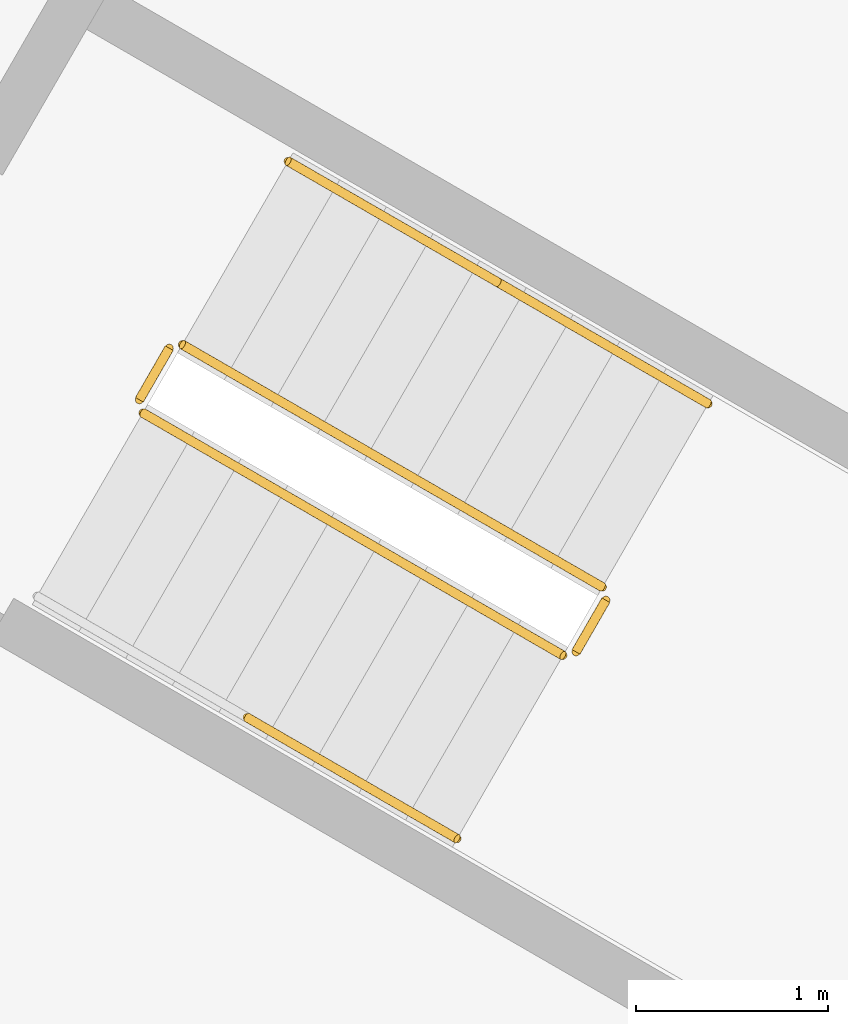
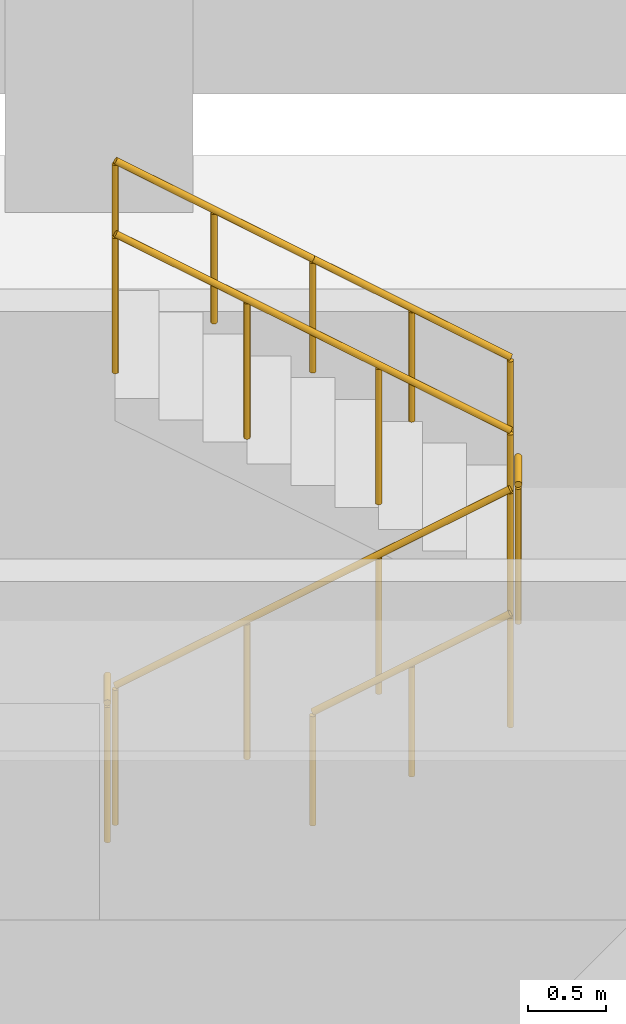
# One storey, part 19 of 19: 7 railings.
"""IFC4 building model written with IfcOpenShell, lengths in metres."""

from ifc_helpers import new_model, si_unit, direction, frame, origin, origin_2d, place, context, subcontext, project, spatial, circle, extrude, material, type_object, element, save


model = new_model("IFC4")

# Units and contexts
model_context = context("Model", 3, precision=1e-05, world=origin(), true_north=direction((0.0, 1.0)))
body_context = subcontext(model_context, "Body", "Model", "MODEL_VIEW")
ifc_project = project(units=[si_unit("LENGTHUNIT", "METRE"), si_unit("AREAUNIT", "SQUARE_METRE"), si_unit("VOLUMEUNIT", "CUBIC_METRE"), si_unit("PLANEANGLEUNIT", "RADIAN"), si_unit("MASSUNIT", "GRAM", prefix="KILO")], contexts=[model_context])

# Site, building, storey
site_placement = place(None, origin())
site = spatial("IfcSite", under=ifc_project, at=site_placement, CompositionType="ELEMENT")
building_placement = place(site_placement, origin())
building = spatial("IfcBuilding", under=site, at=building_placement, Name="Ayvan Gate Tower", CompositionType="ELEMENT")
storey_placement = place(building_placement, frame((0.0, 0.0, 32.300048828125)))
storey = spatial("IfcBuildingStorey", under=building, at=storey_placement, Name="L07", CompositionType="ELEMENT", Elevation=32.300048828125)

# Railings
ifc_material = material(Name="Stainless steel balustrade", Category="steel")
railing_type_1 = type_object("IfcRailingType", Name="RL-GUARD-1100", PredefinedType="GUARDRAIL", material=ifc_material)
railing_1_placement = place(storey_placement, frame((8.381103515625, 10.16650390625, 0.169921875)))
element("IfcRailing", 1, at=railing_1_placement, inside=storey, type_object=railing_type_1, Name="L07 STS1 stair guard 1", PredefinedType="GUARDRAIL", context=body_context, shape_type="SweptSolid", body=[
    extrude(circle(Radius=0.02392578125, at=origin_2d()), frame((0.0, 0.0, 1.076171875), z_axis=(0.740261155115, -0.427395438142, 0.518986090067), x_axis=(0.500004791531, 0.866022637375, 0.0)), (0.0, 0.0, 1.0), 2.947998046875),
    extrude(circle(Radius=0.02099609375, at=origin_2d()), origin(), (0.0, 0.0, 1.0), 1.052001953125),
    extrude(circle(Radius=0.02099609375, at=origin_2d()), frame((0.7275390625, -0.419921875, 0.510009765625)), (0.0, 0.0, 1.0), 1.052001953125),
    extrude(circle(Radius=0.02099609375, at=origin_2d()), frame((1.454833984375, -0.840087890625, 1.02001953125)), (0.0, 0.0, 1.0), 1.052001953125),
    extrude(circle(Radius=0.02099609375, at=origin_2d()), frame((2.182373046875, -1.260009765625, 1.530029296875)), (0.0, 0.0, 1.0), 1.052001953125),
])
railing_2_placement = place(storey_placement, frame((10.6318359375, 8.9248046875, 1.699951171875)))
element("IfcRailing", 2, at=railing_2_placement, inside=storey, type_object=railing_type_1, Name="L07 STS1 stair guard 2", PredefinedType="GUARDRAIL", context=body_context, shape_type="SweptSolid", body=[
    extrude(circle(Radius=0.02392578125, at=origin_2d()), frame((0.0, 0.0, 1.076171875), z_axis=(0.499949632511, 0.866054481515, 0.0), x_axis=(-0.866054481515, 0.499949632511, 0.0)), (0.0, 0.0, 1.0), 0.31005859375),
    extrude(circle(Radius=0.02099609375, at=origin_2d()), origin(), (0.0, 0.0, 1.0), 1.052001953125),
    extrude(circle(Radius=0.02099609375, at=origin_2d()), frame((0.155029296875, 0.2685546875, 0.0)), (0.0, 0.0, 1.0), 1.052001953125),
])
railing_3_placement = place(storey_placement, frame((10.7685546875, 9.261474609375, 1.869873046875)))
element("IfcRailing", 3, at=railing_3_placement, inside=storey, type_object=railing_type_1, Name="L07 STS1 stair guard 3", PredefinedType="GUARDRAIL", context=body_context, shape_type="SweptSolid", body=[
    extrude(circle(Radius=0.02392578125, at=origin_2d()), frame((0.0, 0.0, 1.076171875), z_axis=(-0.740261155115, 0.427395438142, 0.518986090067), x_axis=(-0.500004791531, -0.866022637375, 0.0)), (0.0, 0.0, 1.0), 2.947998046875),
    extrude(circle(Radius=0.02099609375, at=origin_2d()), origin(), (0.0, 0.0, 1.0), 1.052001953125),
    extrude(circle(Radius=0.02099609375, at=origin_2d()), frame((-0.7275390625, 0.419921875, 0.510009765625)), (0.0, 0.0, 1.0), 1.052001953125),
    extrude(circle(Radius=0.02099609375, at=origin_2d()), frame((-1.454833984375, 0.840087890625, 1.02001953125)), (0.0, 0.0, 1.0), 1.052001953125),
    extrude(circle(Radius=0.02099609375, at=origin_2d()), frame((-2.182373046875, 1.260009765625, 1.530029296875)), (0.0, 0.0, 1.0), 1.052001953125),
])
railing_4_placement = place(storey_placement, frame((8.36279296875, 10.23486328125, 0.0)))
element("IfcRailing", 4, at=railing_4_placement, inside=storey, type_object=railing_type_1, Name="L07 STS1 stair guard 4", PredefinedType="GUARDRAIL", context=body_context, shape_type="SweptSolid", body=[
    extrude(circle(Radius=0.02392578125, at=origin_2d()), frame((0.0, 0.0, 1.076171875), z_axis=(0.500290723946, 0.86585748916, 0.0), x_axis=(-0.86585748916, 0.500290723946, 0.0)), (0.0, 0.0, 1.0), 0.309814453125),
    extrude(circle(Radius=0.02099609375, at=origin_2d()), origin(), (0.0, 0.0, 1.0), 1.052001953125),
    extrude(circle(Radius=0.02099609375, at=origin_2d()), frame((0.155029296875, 0.268310546875, 0.0)), (0.0, 0.0, 1.0), 1.052001953125),
])
railing_type_2 = type_object("IfcRailingType", Name="RL-HANDRAIL-900", PredefinedType="HANDRAIL", material=ifc_material)
railing_5_placement = place(storey_placement, frame((8.92236328125, 8.583984375, 0.93505859375)))
element("IfcRailing", 5, at=railing_5_placement, inside=storey, type_object=railing_type_2, Name="L07 STS1 stair handrail 2", PredefinedType="HANDRAIL", context=body_context, shape_type="SweptSolid", body=[
    extrude(circle(Radius=0.02392578125, at=origin_2d()), frame((0.0, 0.0, 0.8759765625), z_axis=(0.740229329464, -0.427507697325, 0.518939021976), x_axis=(0.50011940292, 0.865956455501, 0.0)), (0.0, 0.0, 1.0), 1.473876953125),
    extrude(circle(Radius=0.02099609375, at=origin_2d()), origin(), (0.0, 0.0, 1.0), 0.851806640625),
    extrude(circle(Radius=0.02099609375, at=origin_2d()), frame((0.54541015625, -0.31494140625, 0.38232421875)), (0.0, 0.0, 1.0), 0.851806640625),
    extrude(circle(Radius=0.02099609375, at=origin_2d()), frame((1.091064453125, -0.630126953125, 0.764892578125)), (0.0, 0.0, 1.0), 0.851806640625),
])
railing_6_placement = place(storey_placement, frame((11.318603515625, 10.214111328125, 1.869873046875)))
element("IfcRailing", 6, at=railing_6_placement, inside=storey, type_object=railing_type_2, Name="L07 STS1 stair handrail 3", PredefinedType="HANDRAIL", context=body_context, shape_type="SweptSolid", body=[
    extrude(circle(Radius=0.02392578125, at=origin_2d()), frame((0.0, 0.0, 0.8759765625), z_axis=(-0.740240574041, 0.427418550694, 0.518996411419), x_axis=(-0.500035496587, -0.86600490885, 0.0)), (0.0, 0.0, 1.0), 1.474365234375),
    extrude(circle(Radius=0.02099609375, at=origin_2d()), origin(), (0.0, 0.0, 1.0), 0.851806640625),
    extrude(circle(Radius=0.02099609375, at=origin_2d()), frame((-0.545654296875, 0.31494140625, 0.382568359375)), (0.0, 0.0, 1.0), 0.851806640625),
    extrude(circle(Radius=0.02099609375, at=origin_2d()), frame((-1.09130859375, 0.630126953125, 0.76513671875)), (0.0, 0.0, 1.0), 0.851806640625),
])
railing_7_placement = place(storey_placement, frame((10.227294921875, 10.84423828125, 2.635009765625)))
element("IfcRailing", 7, at=railing_7_placement, inside=storey, type_object=railing_type_2, Name="L07 STS1 stair handrail 4", PredefinedType="HANDRAIL", context=body_context, shape_type="SweptSolid", body=[
    extrude(circle(Radius=0.02392578125, at=origin_2d()), frame((0.0, 0.0, 0.8759765625), z_axis=(-0.740356597536, 0.427319915356, 0.518912129772), x_axis=(-0.499890179513, -0.866088799389, 0.0)), (0.0, 0.0, 1.0), 1.47412109375),
    extrude(circle(Radius=0.02099609375, at=origin_2d()), origin(), (0.0, 0.0, 1.0), 0.851806640625),
    extrude(circle(Radius=0.02099609375, at=origin_2d()), frame((-0.545654296875, 0.31494140625, 0.38232421875)), (0.0, 0.0, 1.0), 0.851806640625),
    extrude(circle(Radius=0.02099609375, at=origin_2d()), frame((-1.09130859375, 0.6298828125, 0.764892578125)), (0.0, 0.0, 1.0), 0.851806640625),
])

save(model, "model.ifc")
